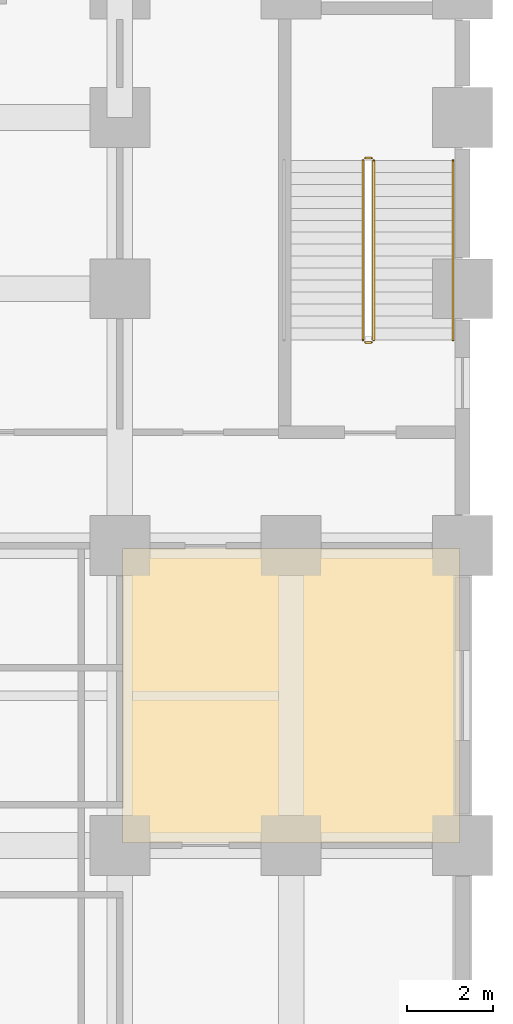
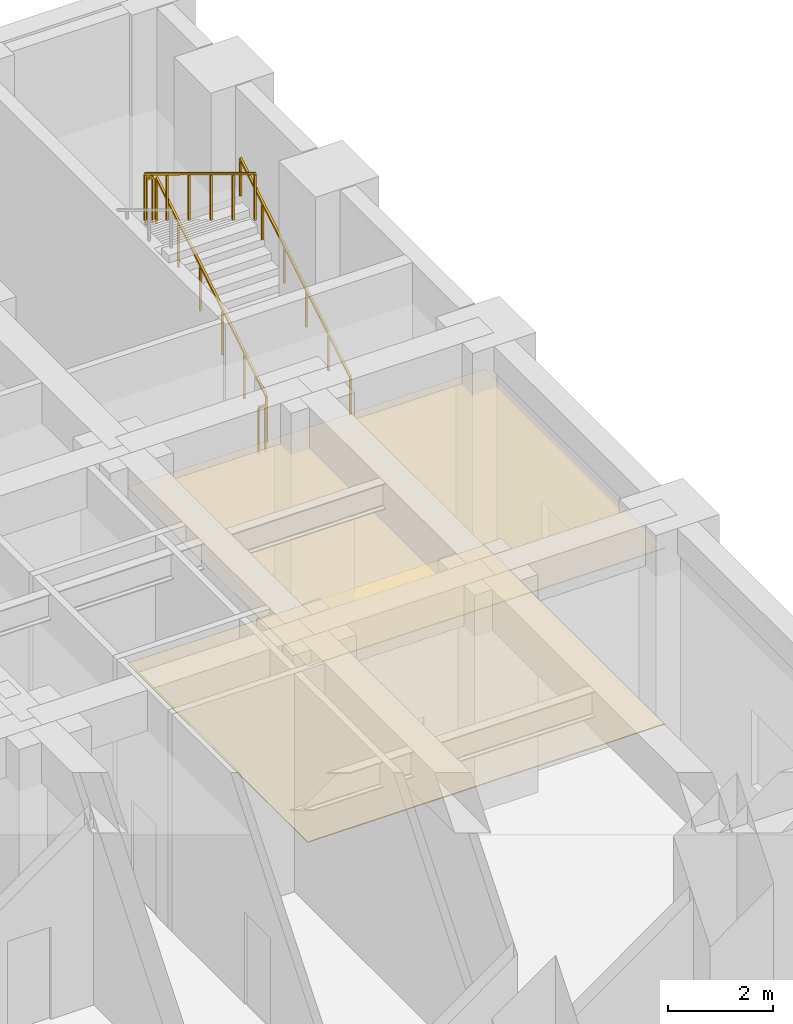
# One storey, part 19 of 20: 5 railings, 2 coverings.
"""IFC4 building model written with IfcOpenShell, lengths in metres."""

from ifc_helpers import new_model, si_unit, direction, frame, origin, origin_2d, place, context, subcontext, project, spatial, polyline, rectangle, outline, extrude, material, layer, layer_set, type_object, element, save


model = new_model("IFC4")

# Units and contexts
model_context = context("Model", 3, precision=1e-05, world=origin(), true_north=direction((0.0, 1.0)))
body_context = subcontext(model_context, "Body", "Model", "MODEL_VIEW")
ifc_project = project(units=[si_unit("LENGTHUNIT", "METRE"), si_unit("AREAUNIT", "SQUARE_METRE"), si_unit("VOLUMEUNIT", "CUBIC_METRE"), si_unit("PLANEANGLEUNIT", "RADIAN"), si_unit("MASSUNIT", "GRAM", prefix="KILO")], contexts=[model_context])

# Site, building, storey
site_placement = place(None, origin())
site = spatial("IfcSite", under=ifc_project, at=site_placement, CompositionType="ELEMENT")
building_placement = place(site_placement, origin())
building = spatial("IfcBuilding", under=site, at=building_placement, Name="Zulmaris Gate Convention Tower", CompositionType="ELEMENT")
storey_placement = place(building_placement, origin())
storey = spatial("IfcBuildingStorey", under=building, at=storey_placement, Name="L00", CompositionType="ELEMENT", Elevation=0.0)

# Coverings
ifc_material_1 = material(Name="Mineral Fibre Acoustic Ceiling Tile")
ifc_layer_1 = layer(ifc_material_1, 0.02001953125, Name="Mineral Fibre Acoustic Ceiling Tile")
ifc_layer_set_1 = layer_set([ifc_layer_1], Name="Mineral Fibre Acoustic Ceiling Tile")
covering_type_1 = type_object("IfcCoveringType", Name="CLG-ACOUSTIC-600", PredefinedType="CEILING", material=ifc_layer_set_1)
covering_1_placement = place(storey_placement, frame((0.0, 0.0, 4.099853515625)))
element("IfcCovering", 1, at=covering_1_placement, inside=storey, type_object=covering_type_1, Name="CLG-L00-R79", PredefinedType="CEILING", context=body_context, shape_type="SweptSolid", body=[
    extrude(outline(polyline([(26.06005859375, 9.06005859375), (33.93994140625, 9.06005859375), (33.93994140625, 15.93994140625), (26.06005859375, 15.93994140625), (26.06005859375, 9.06005859375)])), origin(), (0.0, 0.0, 1.0), 0.02001953125),
])
ifc_material_2 = material(Name="Woven Acoustic Wool Carpet Tile")
ifc_layer_2 = layer(ifc_material_2, 0.02001953125, Name="Woven Acoustic Wool Carpet Tile")
ifc_layer_set_2 = layer_set([ifc_layer_2], Name="Woven Acoustic Wool Carpet Tile")
covering_type_2 = type_object("IfcCoveringType", Name="FLR-CARPET-12", PredefinedType="FLOORING", material=ifc_layer_set_2)
covering_2_placement = place(storey_placement, origin())
element("IfcCovering", 2, at=covering_2_placement, inside=storey, type_object=covering_type_2, Name="FLR-L00-R79", PredefinedType="FLOORING", context=body_context, shape_type="SweptSolid", body=[
    extrude(outline(polyline([(26.06005859375, 9.06005859375), (33.93994140625, 9.06005859375), (33.93994140625, 15.93994140625), (26.06005859375, 15.93994140625), (26.06005859375, 9.06005859375)])), origin(), (0.0, 0.0, 1.0), 0.02001953125),
])

# Railings
ifc_material_3 = material(Name="Painted Galvanised Steel", Category="steel")
railing_type_1 = type_object("IfcRailingType", Name="RL-STG-1150", PredefinedType="GUARDRAIL", material=ifc_material_3)
railing_1_placement = place(storey_placement, frame((31.929931640625, 20.800048828125, 0.169921875)))
element("IfcRailing", 3, at=railing_1_placement, inside=storey, type_object=railing_type_1, Name="L00 ST-5 stair guard 1", PredefinedType="GUARDRAIL", context=body_context, shape_type="SweptSolid", body=[
    extrude(rectangle(XDim=0.048095703125, YDim=0.048095703125, at=origin_2d()), frame((0.0, 0.0, 1.076171875), z_axis=(0.0, 0.854780430106, 0.518989803665), x_axis=(-1.0, 0.0, 0.0)), (0.0, 0.0, 1.0), 4.91357421875),
    extrude(rectangle(XDim=0.0419921875, YDim=0.0419921875, at=origin_2d()), origin(), (0.0, 0.0, 1.0), 1.052001953125),
    extrude(rectangle(XDim=0.0419921875, YDim=0.0419921875, at=origin_2d()), frame((0.0, 0.840087890625, 0.510009765625)), (0.0, 0.0, 1.0), 1.052001953125),
    extrude(rectangle(XDim=0.0419921875, YDim=0.0419921875, at=origin_2d()), frame((0.0, 1.679931640625, 1.02001953125)), (0.0, 0.0, 1.0), 1.052001953125),
    extrude(rectangle(XDim=0.0419921875, YDim=0.0419921875, at=origin_2d()), frame((0.0, 2.52001953125, 1.530029296875)), (0.0, 0.0, 1.0), 1.052001953125),
    extrude(rectangle(XDim=0.0419921875, YDim=0.0419921875, at=origin_2d()), frame((0.0, 3.35986328125, 2.0400390625)), (0.0, 0.0, 1.0), 1.052001953125),
    extrude(rectangle(XDim=0.0419921875, YDim=0.0419921875, at=origin_2d()), frame((0.0, 4.199951171875, 2.550048828125)), (0.0, 0.0, 1.0), 1.052001953125),
])
railing_2_placement = place(storey_placement, frame((31.8798828125, 25.050048828125, 2.719970703125)))
element("IfcRailing", 4, at=railing_2_placement, inside=storey, type_object=railing_type_1, Name="L00 ST-5 stair guard 2", PredefinedType="GUARDRAIL", context=body_context, shape_type="SweptSolid", body=[
    extrude(rectangle(XDim=0.048095703125, YDim=0.048095703125, at=origin_2d()), frame((0.0, 0.0, 1.076171875), z_axis=(-1.0, 0.0, 0.0), x_axis=(0.0, -1.0, 0.0)), (0.0, 0.0, 1.0), 0.14990234375),
    extrude(rectangle(XDim=0.0419921875, YDim=0.0419921875, at=origin_2d()), origin(), (0.0, 0.0, 1.0), 1.052001953125),
    extrude(rectangle(XDim=0.0419921875, YDim=0.0419921875, at=origin_2d()), frame((-0.14990234375, 0.0, 0.0)), (0.0, 0.0, 1.0), 1.052001953125),
])
railing_3_placement = place(storey_placement, frame((31.679931640625, 25.0, 2.889892578125)))
element("IfcRailing", 5, at=railing_3_placement, inside=storey, type_object=railing_type_1, Name="L00 ST-5 stair guard 3", PredefinedType="GUARDRAIL", context=body_context, shape_type="SweptSolid", body=[
    extrude(rectangle(XDim=0.048095703125, YDim=0.048095703125, at=origin_2d()), frame((0.0, 0.0, 1.076171875), z_axis=(0.0, -0.854780430106, 0.518989803665), x_axis=(1.0, 0.0, 0.0)), (0.0, 0.0, 1.0), 4.91357421875),
    extrude(rectangle(XDim=0.0419921875, YDim=0.0419921875, at=origin_2d()), origin(), (0.0, 0.0, 1.0), 1.052001953125),
    extrude(rectangle(XDim=0.0419921875, YDim=0.0419921875, at=origin_2d()), frame((0.0, -0.840087890625, 0.510009765625)), (0.0, 0.0, 1.0), 1.052001953125),
    extrude(rectangle(XDim=0.0419921875, YDim=0.0419921875, at=origin_2d()), frame((0.0, -1.679931640625, 1.02001953125)), (0.0, 0.0, 1.0), 1.052001953125),
    extrude(rectangle(XDim=0.0419921875, YDim=0.0419921875, at=origin_2d()), frame((0.0, -2.52001953125, 1.530029296875)), (0.0, 0.0, 1.0), 1.052001953125),
    extrude(rectangle(XDim=0.0419921875, YDim=0.0419921875, at=origin_2d()), frame((0.0, -3.35986328125, 2.0400390625)), (0.0, 0.0, 1.0), 1.052001953125),
    extrude(rectangle(XDim=0.0419921875, YDim=0.0419921875, at=origin_2d()), frame((0.0, -4.199951171875, 2.550048828125)), (0.0, 0.0, 1.0), 1.052001953125),
])
railing_4_placement = place(storey_placement, frame((31.8798828125, 20.75, 0.0)))
element("IfcRailing", 6, at=railing_4_placement, inside=storey, type_object=railing_type_1, Name="L00 ST-5 stair guard 4", PredefinedType="GUARDRAIL", context=body_context, shape_type="SweptSolid", body=[
    extrude(rectangle(XDim=0.048095703125, YDim=0.048095703125, at=origin_2d()), frame((0.0, 0.0, 1.076171875), z_axis=(-1.0, 0.0, 0.0), x_axis=(0.0, -1.0, 0.0)), (0.0, 0.0, 1.0), 0.14990234375),
    extrude(rectangle(XDim=0.0419921875, YDim=0.0419921875, at=origin_2d()), origin(), (0.0, 0.0, 1.0), 1.052001953125),
    extrude(rectangle(XDim=0.0419921875, YDim=0.0419921875, at=origin_2d()), frame((-0.14990234375, 0.0, 0.0)), (0.0, 0.0, 1.0), 1.052001953125),
])
ifc_material_4 = material(Name="Brushed Stainless Steel", Category="steel")
railing_type_2 = type_object("IfcRailingType", Name="RL-STH-900", PredefinedType="HANDRAIL", material=ifc_material_4)
railing_5_placement = place(storey_placement, frame((33.780029296875, 20.800048828125, 0.169921875)))
element("IfcRailing", 7, at=railing_5_placement, inside=storey, type_object=railing_type_2, Name="L00 ST-5 stair handrail 1", PredefinedType="HANDRAIL", context=body_context, shape_type="SweptSolid", body=[
    extrude(rectangle(XDim=0.048095703125, YDim=0.048095703125, at=origin_2d()), frame((0.0, 0.0, 0.8759765625), z_axis=(0.0, 0.854780430106, 0.518989803665), x_axis=(-1.0, 0.0, 0.0)), (0.0, 0.0, 1.0), 4.91357421875),
    extrude(rectangle(XDim=0.0419921875, YDim=0.0419921875, at=origin_2d()), origin(), (0.0, 0.0, 1.0), 0.851806640625),
    extrude(rectangle(XDim=0.0419921875, YDim=0.0419921875, at=origin_2d()), frame((0.0, 0.840087890625, 0.510009765625)), (0.0, 0.0, 1.0), 0.851806640625),
    extrude(rectangle(XDim=0.0419921875, YDim=0.0419921875, at=origin_2d()), frame((0.0, 1.679931640625, 1.02001953125)), (0.0, 0.0, 1.0), 0.851806640625),
    extrude(rectangle(XDim=0.0419921875, YDim=0.0419921875, at=origin_2d()), frame((0.0, 2.52001953125, 1.530029296875)), (0.0, 0.0, 1.0), 0.851806640625),
    extrude(rectangle(XDim=0.0419921875, YDim=0.0419921875, at=origin_2d()), frame((0.0, 3.35986328125, 2.0400390625)), (0.0, 0.0, 1.0), 0.851806640625),
    extrude(rectangle(XDim=0.0419921875, YDim=0.0419921875, at=origin_2d()), frame((0.0, 4.199951171875, 2.550048828125)), (0.0, 0.0, 1.0), 0.851806640625),
])

save(model, "model.ifc")
